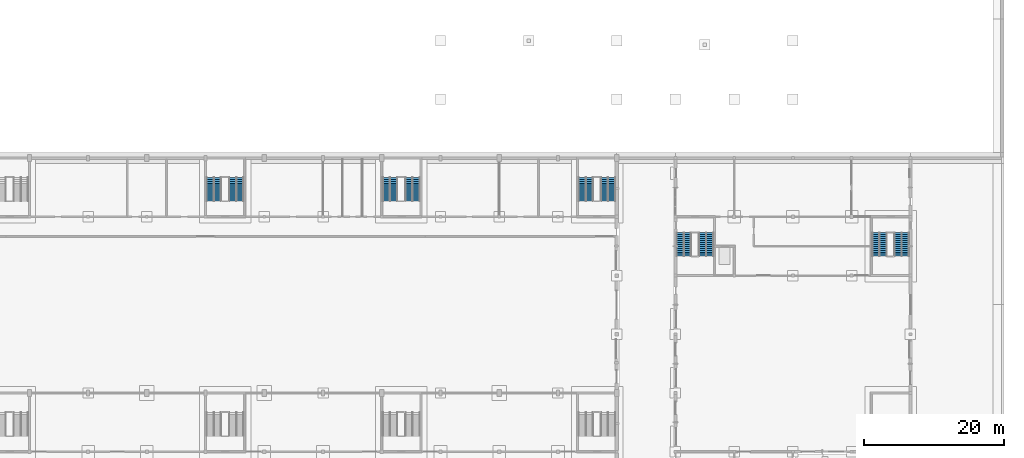
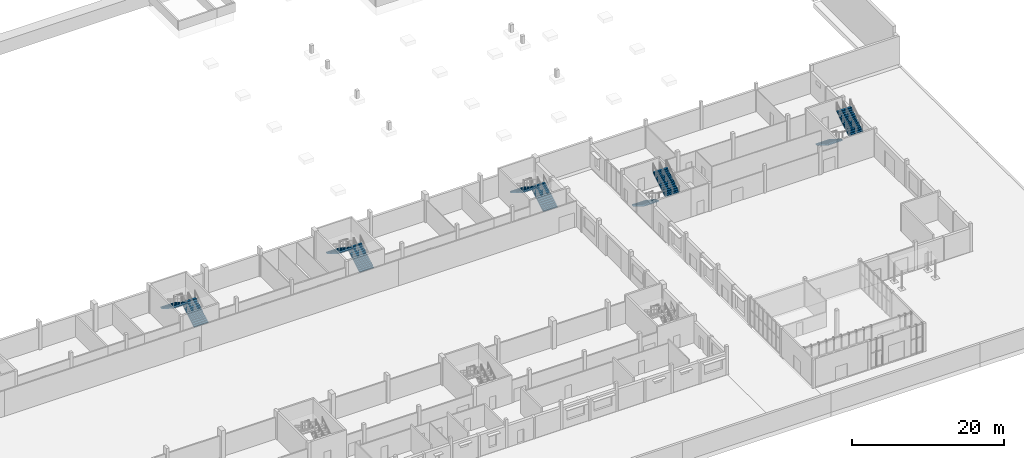
# One storey, part 29 of 36: 10 stair flights, 5 elements without a shape of their own.
"""IFC4 building model written with IfcOpenShell, lengths in metres."""

from ifc_helpers import new_model, si_unit, direction, frame, origin, place, context, subcontext, project, spatial, polyline, outline, extrude, material, type_object, element, aggregate, save


model = new_model("IFC4")

# Units and contexts
model_context = context("Model", 3, precision=1e-05, world=origin(), true_north=direction((0.0, 1.0)))
body_context = subcontext(model_context, "Body", "Model", "MODEL_VIEW")
ifc_project = project(units=[si_unit("LENGTHUNIT", "METRE"), si_unit("AREAUNIT", "SQUARE_METRE"), si_unit("VOLUMEUNIT", "CUBIC_METRE"), si_unit("PLANEANGLEUNIT", "RADIAN"), si_unit("MASSUNIT", "GRAM", prefix="KILO")], contexts=[model_context])

# Site, building, storey
site_placement = place(None, origin())
site = spatial("IfcSite", under=ifc_project, at=site_placement, CompositionType="ELEMENT")
building_placement = place(site_placement, origin())
building = spatial("IfcBuilding", under=site, at=building_placement, Name="Fescue Hill Polytechnic", CompositionType="ELEMENT")
storey_placement = place(building_placement, origin())
storey = spatial("IfcBuildingStorey", under=building, at=storey_placement, Name="L00", CompositionType="ELEMENT", Elevation=0.0)

# Stair, stair flights
ifc_material = material(Name="Concrete 35 MPa", Category="concrete")
stair_type = type_object("IfcStairType", Name="Half-turn stair 2150 flights", PredefinedType="HALF_TURN_STAIR", material=ifc_material)
stair_1_placement = place(storey_placement, origin())
stair_1 = element("IfcStair", 1, at=stair_1_placement, inside=storey, type_object=stair_type, Name="L00 ST-V1-7 stair", PredefinedType="HALF_TURN_STAIR")
stair_flight_type = type_object("IfcStairFlightType", Name="Stair flight 2150 wide", PredefinedType="STRAIGHT", material=ifc_material)
stair_flight_1_placement = place(storey_placement, frame((63.199951171875, 44.27490234375, 0.0), z_axis=(0.0, 0.0, 1.0), x_axis=(0.0, 1.0, 0.0)))
stair_flight_1 = element("IfcStairFlight", 2, at=stair_flight_1_placement, type_object=stair_flight_type, Name="S08 flight 1", NumberOfRisers=13, NumberOfTreads=12, PredefinedType="STRAIGHT", RiserHeight=0.173076923, TreadLength=0.28, context=body_context, shape_type="SweptSolid", body=[
    extrude(outline(polyline([(0.0, 0.0), (0.0, 0.173095703125), (0.280029296875, 0.173095703125), (0.280029296875, 0.34619140625), (0.56005859375, 0.34619140625), (0.56005859375, 0.519287109375), (0.840087890625, 0.519287109375), (0.840087890625, 0.6923828125), (1.1201171875, 0.6923828125), (1.1201171875, 0.865478515625), (1.39990234375, 0.865478515625), (1.39990234375, 1.03857421875), (1.679931640625, 1.03857421875), (1.679931640625, 1.21142578125), (1.9599609375, 1.21142578125), (1.9599609375, 1.384521484375), (2.239990234375, 1.384521484375), (2.239990234375, 1.5576171875), (2.52001953125, 1.5576171875), (2.52001953125, 1.730712890625), (2.800048828125, 1.730712890625), (2.800048828125, 1.90380859375), (3.080078125, 1.90380859375), (3.080078125, 2.076904296875), (3.360107421875, 2.076904296875), (3.360107421875, 2.25), (3.360107421875, 1.900634765625), (0.28515625, 0.0), (0.0, 0.0)])), frame((0.0, 1.074951171875, 0.0), z_axis=(0.0, -1.0, 0.0), x_axis=(1.0, 0.0, 0.0)), (0.0, 0.0, 1.0), 2.14990234375),
])
stair_flight_2_placement = place(storey_placement, frame((60.0, 47.635009765625, 2.25), z_axis=(0.0, 0.0, 1.0), x_axis=(0.0, -1.0, 0.0)))
stair_flight_2 = element("IfcStairFlight", 3, at=stair_flight_2_placement, type_object=stair_flight_type, Name="S08 flight 2", NumberOfRisers=13, NumberOfTreads=12, PredefinedType="STRAIGHT", RiserHeight=0.173076923, TreadLength=0.28, context=body_context, shape_type="SweptSolid", body=[
    extrude(outline(polyline([(0.0, 0.0), (0.0, 0.173095703125), (0.280029296875, 0.173095703125), (0.280029296875, 0.34619140625), (0.56005859375, 0.34619140625), (0.56005859375, 0.519287109375), (0.840087890625, 0.519287109375), (0.840087890625, 0.6923828125), (1.1201171875, 0.6923828125), (1.1201171875, 0.865478515625), (1.39990234375, 0.865478515625), (1.39990234375, 1.03857421875), (1.679931640625, 1.03857421875), (1.679931640625, 1.21142578125), (1.9599609375, 1.21142578125), (1.9599609375, 1.384521484375), (2.239990234375, 1.384521484375), (2.239990234375, 1.5576171875), (2.52001953125, 1.5576171875), (2.52001953125, 1.730712890625), (2.800048828125, 1.730712890625), (2.800048828125, 1.90380859375), (3.080078125, 1.90380859375), (3.080078125, 2.076904296875), (3.360107421875, 2.076904296875), (3.360107421875, 2.25), (3.360107421875, 1.900634765625), (0.28515625, 0.0), (0.0, 0.0)])), frame((0.0, 1.074951171875, 0.0), z_axis=(0.0, -1.0, 0.0), x_axis=(1.0, 0.0, 0.0)), (0.0, 0.0, 1.0), 2.14990234375),
])
aggregate(stair_1, [stair_flight_1, stair_flight_2])

stair_2_placement = place(storey_placement, origin())
stair_2 = element("IfcStair", 4, at=stair_2_placement, inside=storey, type_object=stair_type, Name="L00 ST-V1-8 stair", PredefinedType="HALF_TURN_STAIR")
stair_flight_3_placement = place(storey_placement, frame((88.39990234375, 44.27490234375, 0.0), z_axis=(0.0, 0.0, 1.0), x_axis=(0.0, 1.0, 0.0)))
stair_flight_3 = element("IfcStairFlight", 5, at=stair_flight_3_placement, type_object=stair_flight_type, Name="S09 flight 1", NumberOfRisers=13, NumberOfTreads=12, PredefinedType="STRAIGHT", RiserHeight=0.173076923, TreadLength=0.28, context=body_context, shape_type="SweptSolid", body=[
    extrude(outline(polyline([(0.0, 0.0), (0.0, 0.173095703125), (0.280029296875, 0.173095703125), (0.280029296875, 0.34619140625), (0.56005859375, 0.34619140625), (0.56005859375, 0.519287109375), (0.840087890625, 0.519287109375), (0.840087890625, 0.6923828125), (1.1201171875, 0.6923828125), (1.1201171875, 0.865478515625), (1.39990234375, 0.865478515625), (1.39990234375, 1.03857421875), (1.679931640625, 1.03857421875), (1.679931640625, 1.21142578125), (1.9599609375, 1.21142578125), (1.9599609375, 1.384521484375), (2.239990234375, 1.384521484375), (2.239990234375, 1.5576171875), (2.52001953125, 1.5576171875), (2.52001953125, 1.730712890625), (2.800048828125, 1.730712890625), (2.800048828125, 1.90380859375), (3.080078125, 1.90380859375), (3.080078125, 2.076904296875), (3.360107421875, 2.076904296875), (3.360107421875, 2.25), (3.360107421875, 1.900634765625), (0.28515625, 0.0), (0.0, 0.0)])), frame((0.0, 1.074951171875, 0.0), z_axis=(0.0, -1.0, 0.0), x_axis=(1.0, 0.0, 0.0)), (0.0, 0.0, 1.0), 2.14990234375),
])
stair_flight_4_placement = place(storey_placement, frame((85.199951171875, 47.635009765625, 2.25), z_axis=(0.0, 0.0, 1.0), x_axis=(0.0, -1.0, 0.0)))
stair_flight_4 = element("IfcStairFlight", 6, at=stair_flight_4_placement, type_object=stair_flight_type, Name="S09 flight 2", NumberOfRisers=13, NumberOfTreads=12, PredefinedType="STRAIGHT", RiserHeight=0.173076923, TreadLength=0.28, context=body_context, shape_type="SweptSolid", body=[
    extrude(outline(polyline([(0.0, 0.0), (0.0, 0.173095703125), (0.280029296875, 0.173095703125), (0.280029296875, 0.34619140625), (0.56005859375, 0.34619140625), (0.56005859375, 0.519287109375), (0.840087890625, 0.519287109375), (0.840087890625, 0.6923828125), (1.1201171875, 0.6923828125), (1.1201171875, 0.865478515625), (1.39990234375, 0.865478515625), (1.39990234375, 1.03857421875), (1.679931640625, 1.03857421875), (1.679931640625, 1.21142578125), (1.9599609375, 1.21142578125), (1.9599609375, 1.384521484375), (2.239990234375, 1.384521484375), (2.239990234375, 1.5576171875), (2.52001953125, 1.5576171875), (2.52001953125, 1.730712890625), (2.800048828125, 1.730712890625), (2.800048828125, 1.90380859375), (3.080078125, 1.90380859375), (3.080078125, 2.076904296875), (3.360107421875, 2.076904296875), (3.360107421875, 2.25), (3.360107421875, 1.900634765625), (0.28515625, 0.0), (0.0, 0.0)])), frame((0.0, 1.074951171875, 0.0), z_axis=(0.0, -1.0, 0.0), x_axis=(1.0, 0.0, 0.0)), (0.0, 0.0, 1.0), 2.14990234375),
])
aggregate(stair_2, [stair_flight_3, stair_flight_4])

stair_3_placement = place(storey_placement, origin())
stair_3 = element("IfcStair", 7, at=stair_3_placement, inside=storey, type_object=stair_type, Name="L00 ST-V1-9 stair", PredefinedType="HALF_TURN_STAIR")
stair_flight_5_placement = place(storey_placement, frame((116.375, 44.27490234375, 0.0), z_axis=(0.0, 0.0, 1.0), x_axis=(0.0, 1.0, 0.0)))
stair_flight_5 = element("IfcStairFlight", 8, at=stair_flight_5_placement, type_object=stair_flight_type, Name="S10 flight 1", NumberOfRisers=13, NumberOfTreads=12, PredefinedType="STRAIGHT", RiserHeight=0.173076923, TreadLength=0.28, context=body_context, shape_type="SweptSolid", body=[
    extrude(outline(polyline([(0.0, 0.0), (0.0, 0.173095703125), (0.280029296875, 0.173095703125), (0.280029296875, 0.34619140625), (0.56005859375, 0.34619140625), (0.56005859375, 0.519287109375), (0.840087890625, 0.519287109375), (0.840087890625, 0.6923828125), (1.1201171875, 0.6923828125), (1.1201171875, 0.865478515625), (1.39990234375, 0.865478515625), (1.39990234375, 1.03857421875), (1.679931640625, 1.03857421875), (1.679931640625, 1.21142578125), (1.9599609375, 1.21142578125), (1.9599609375, 1.384521484375), (2.239990234375, 1.384521484375), (2.239990234375, 1.5576171875), (2.52001953125, 1.5576171875), (2.52001953125, 1.730712890625), (2.800048828125, 1.730712890625), (2.800048828125, 1.90380859375), (3.080078125, 1.90380859375), (3.080078125, 2.076904296875), (3.360107421875, 2.076904296875), (3.360107421875, 2.25), (3.360107421875, 1.900634765625), (0.28515625, 0.0), (0.0, 0.0)])), frame((0.0, 1.074951171875, 0.0), z_axis=(0.0, -1.0, 0.0), x_axis=(1.0, 0.0, 0.0)), (0.0, 0.0, 1.0), 2.14990234375),
])
stair_flight_6_placement = place(storey_placement, frame((113.199951171875, 47.635009765625, 2.25), z_axis=(0.0, 0.0, 1.0), x_axis=(0.0, -1.0, 0.0)))
stair_flight_6 = element("IfcStairFlight", 9, at=stair_flight_6_placement, type_object=stair_flight_type, Name="S10 flight 2", NumberOfRisers=13, NumberOfTreads=12, PredefinedType="STRAIGHT", RiserHeight=0.173076923, TreadLength=0.28, context=body_context, shape_type="SweptSolid", body=[
    extrude(outline(polyline([(0.0, 0.0), (0.0, 0.173095703125), (0.280029296875, 0.173095703125), (0.280029296875, 0.34619140625), (0.56005859375, 0.34619140625), (0.56005859375, 0.519287109375), (0.840087890625, 0.519287109375), (0.840087890625, 0.6923828125), (1.1201171875, 0.6923828125), (1.1201171875, 0.865478515625), (1.39990234375, 0.865478515625), (1.39990234375, 1.03857421875), (1.679931640625, 1.03857421875), (1.679931640625, 1.21142578125), (1.9599609375, 1.21142578125), (1.9599609375, 1.384521484375), (2.239990234375, 1.384521484375), (2.239990234375, 1.5576171875), (2.52001953125, 1.5576171875), (2.52001953125, 1.730712890625), (2.800048828125, 1.730712890625), (2.800048828125, 1.90380859375), (3.080078125, 1.90380859375), (3.080078125, 2.076904296875), (3.360107421875, 2.076904296875), (3.360107421875, 2.25), (3.360107421875, 1.900634765625), (0.28515625, 0.0), (0.0, 0.0)])), frame((0.0, 1.074951171875, 0.0), z_axis=(0.0, -1.0, 0.0), x_axis=(1.0, 0.0, 0.0)), (0.0, 0.0, 1.0), 2.14990234375),
])
aggregate(stair_3, [stair_flight_5, stair_flight_6])

stair_4_placement = place(storey_placement, origin())
stair_4 = element("IfcStair", 10, at=stair_4_placement, inside=storey, type_object=stair_type, Name="L00 ST-V3-1 stair", PredefinedType="HALF_TURN_STAIR")
stair_flight_7_placement = place(storey_placement, frame((127.22509765625, 39.72509765625, 0.0), z_axis=(0.0, 0.0, 1.0), x_axis=(0.0, -1.0, 0.0)))
stair_flight_7 = element("IfcStairFlight", 11, at=stair_flight_7_placement, type_object=stair_flight_type, Name="S11 flight 1", NumberOfRisers=13, NumberOfTreads=12, PredefinedType="STRAIGHT", RiserHeight=0.173076923, TreadLength=0.28, context=body_context, shape_type="SweptSolid", body=[
    extrude(outline(polyline([(0.0, 0.0), (0.0, 0.173095703125), (0.280029296875, 0.173095703125), (0.280029296875, 0.34619140625), (0.56005859375, 0.34619140625), (0.56005859375, 0.519287109375), (0.840087890625, 0.519287109375), (0.840087890625, 0.6923828125), (1.1201171875, 0.6923828125), (1.1201171875, 0.865478515625), (1.39990234375, 0.865478515625), (1.39990234375, 1.03857421875), (1.679931640625, 1.03857421875), (1.679931640625, 1.21142578125), (1.9599609375, 1.21142578125), (1.9599609375, 1.384521484375), (2.239990234375, 1.384521484375), (2.239990234375, 1.5576171875), (2.52001953125, 1.5576171875), (2.52001953125, 1.730712890625), (2.800048828125, 1.730712890625), (2.800048828125, 1.90380859375), (3.080078125, 1.90380859375), (3.080078125, 2.076904296875), (3.360107421875, 2.076904296875), (3.360107421875, 2.25), (3.360107421875, 1.900634765625), (0.28515625, 0.0), (0.0, 0.0)])), frame((0.0, 1.074951171875, 0.0), z_axis=(0.0, -1.0, 0.0), x_axis=(1.0, 0.0, 0.0)), (0.0, 0.0, 1.0), 2.14990234375),
])
stair_flight_8_placement = place(storey_placement, frame((130.39990234375, 36.364990234375, 2.25), z_axis=(0.0, 0.0, 1.0), x_axis=(0.0, 1.0, 0.0)))
stair_flight_8 = element("IfcStairFlight", 12, at=stair_flight_8_placement, type_object=stair_flight_type, Name="S11 flight 2", NumberOfRisers=13, NumberOfTreads=12, PredefinedType="STRAIGHT", RiserHeight=0.173076923, TreadLength=0.28, context=body_context, shape_type="SweptSolid", body=[
    extrude(outline(polyline([(0.0, 0.0), (0.0, 0.173095703125), (0.280029296875, 0.173095703125), (0.280029296875, 0.34619140625), (0.56005859375, 0.34619140625), (0.56005859375, 0.519287109375), (0.840087890625, 0.519287109375), (0.840087890625, 0.6923828125), (1.1201171875, 0.6923828125), (1.1201171875, 0.865478515625), (1.39990234375, 0.865478515625), (1.39990234375, 1.03857421875), (1.679931640625, 1.03857421875), (1.679931640625, 1.21142578125), (1.9599609375, 1.21142578125), (1.9599609375, 1.384521484375), (2.239990234375, 1.384521484375), (2.239990234375, 1.5576171875), (2.52001953125, 1.5576171875), (2.52001953125, 1.730712890625), (2.800048828125, 1.730712890625), (2.800048828125, 1.90380859375), (3.080078125, 1.90380859375), (3.080078125, 2.076904296875), (3.360107421875, 2.076904296875), (3.360107421875, 2.25), (3.360107421875, 1.900634765625), (0.28515625, 0.0), (0.0, 0.0)])), frame((0.0, 1.074951171875, 0.0), z_axis=(0.0, -1.0, 0.0), x_axis=(1.0, 0.0, 0.0)), (0.0, 0.0, 1.0), 2.14990234375),
])
aggregate(stair_4, [stair_flight_7, stair_flight_8])

stair_5_placement = place(storey_placement, origin())
stair_5 = element("IfcStair", 13, at=stair_5_placement, inside=storey, type_object=stair_type, Name="L00 ST-V3-2 stair", PredefinedType="HALF_TURN_STAIR")
stair_flight_9_placement = place(storey_placement, frame((155.199951171875, 39.72509765625, 0.0), z_axis=(0.0, 0.0, 1.0), x_axis=(0.0, -1.0, 0.0)))
stair_flight_9 = element("IfcStairFlight", 14, at=stair_flight_9_placement, type_object=stair_flight_type, Name="S12 flight 1", NumberOfRisers=13, NumberOfTreads=12, PredefinedType="STRAIGHT", RiserHeight=0.173076923, TreadLength=0.28, context=body_context, shape_type="SweptSolid", body=[
    extrude(outline(polyline([(0.0, 0.0), (0.0, 0.173095703125), (0.280029296875, 0.173095703125), (0.280029296875, 0.34619140625), (0.56005859375, 0.34619140625), (0.56005859375, 0.519287109375), (0.840087890625, 0.519287109375), (0.840087890625, 0.6923828125), (1.1201171875, 0.6923828125), (1.1201171875, 0.865478515625), (1.39990234375, 0.865478515625), (1.39990234375, 1.03857421875), (1.679931640625, 1.03857421875), (1.679931640625, 1.21142578125), (1.9599609375, 1.21142578125), (1.9599609375, 1.384521484375), (2.239990234375, 1.384521484375), (2.239990234375, 1.5576171875), (2.52001953125, 1.5576171875), (2.52001953125, 1.730712890625), (2.800048828125, 1.730712890625), (2.800048828125, 1.90380859375), (3.080078125, 1.90380859375), (3.080078125, 2.076904296875), (3.360107421875, 2.076904296875), (3.360107421875, 2.25), (3.360107421875, 1.900634765625), (0.28515625, 0.0), (0.0, 0.0)])), frame((0.0, 1.074951171875, 0.0), z_axis=(0.0, -1.0, 0.0), x_axis=(1.0, 0.0, 0.0)), (0.0, 0.0, 1.0), 2.14990234375),
])
stair_flight_10_placement = place(storey_placement, frame((158.375, 36.364990234375, 2.25), z_axis=(0.0, 0.0, 1.0), x_axis=(0.0, 1.0, 0.0)))
stair_flight_10 = element("IfcStairFlight", 15, at=stair_flight_10_placement, type_object=stair_flight_type, Name="S12 flight 2", NumberOfRisers=13, NumberOfTreads=12, PredefinedType="STRAIGHT", RiserHeight=0.173076923, TreadLength=0.28, context=body_context, shape_type="SweptSolid", body=[
    extrude(outline(polyline([(0.0, 0.0), (0.0, 0.173095703125), (0.280029296875, 0.173095703125), (0.280029296875, 0.34619140625), (0.56005859375, 0.34619140625), (0.56005859375, 0.519287109375), (0.840087890625, 0.519287109375), (0.840087890625, 0.6923828125), (1.1201171875, 0.6923828125), (1.1201171875, 0.865478515625), (1.39990234375, 0.865478515625), (1.39990234375, 1.03857421875), (1.679931640625, 1.03857421875), (1.679931640625, 1.21142578125), (1.9599609375, 1.21142578125), (1.9599609375, 1.384521484375), (2.239990234375, 1.384521484375), (2.239990234375, 1.5576171875), (2.52001953125, 1.5576171875), (2.52001953125, 1.730712890625), (2.800048828125, 1.730712890625), (2.800048828125, 1.90380859375), (3.080078125, 1.90380859375), (3.080078125, 2.076904296875), (3.360107421875, 2.076904296875), (3.360107421875, 2.25), (3.360107421875, 1.900634765625), (0.28515625, 0.0), (0.0, 0.0)])), frame((0.0, 1.074951171875, 0.0), z_axis=(0.0, -1.0, 0.0), x_axis=(1.0, 0.0, 0.0)), (0.0, 0.0, 1.0), 2.14990234375),
])
aggregate(stair_5, [stair_flight_9, stair_flight_10])

save(model, "model.ifc")
